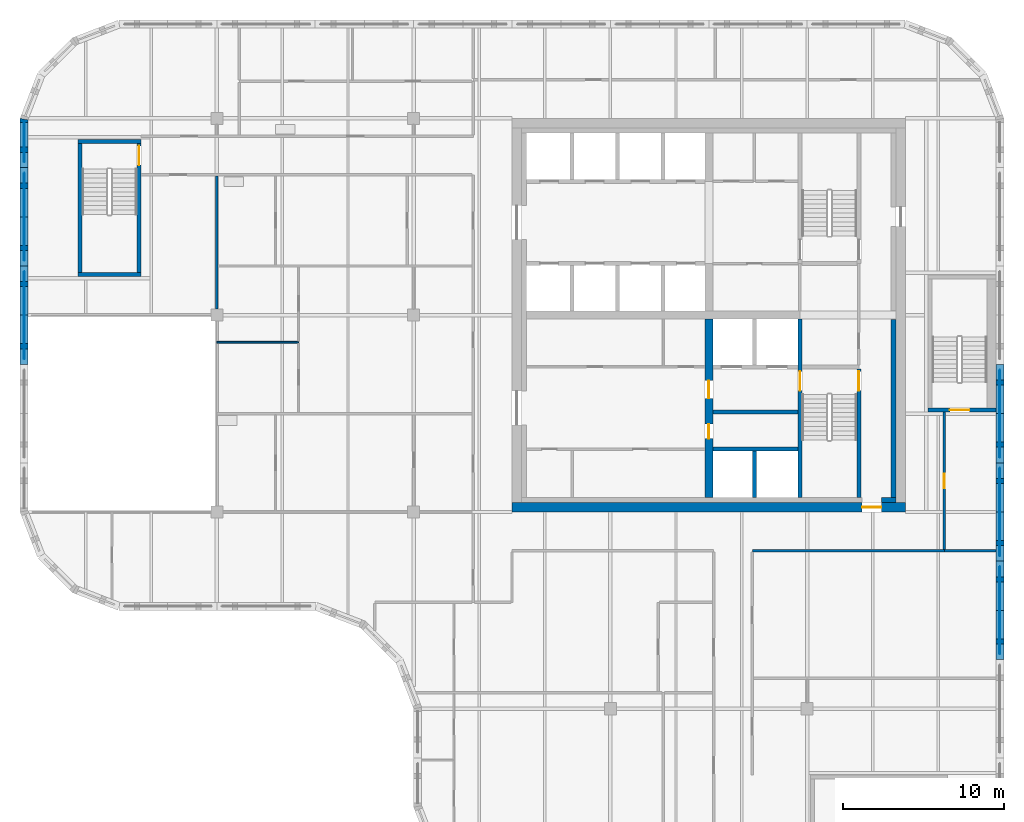
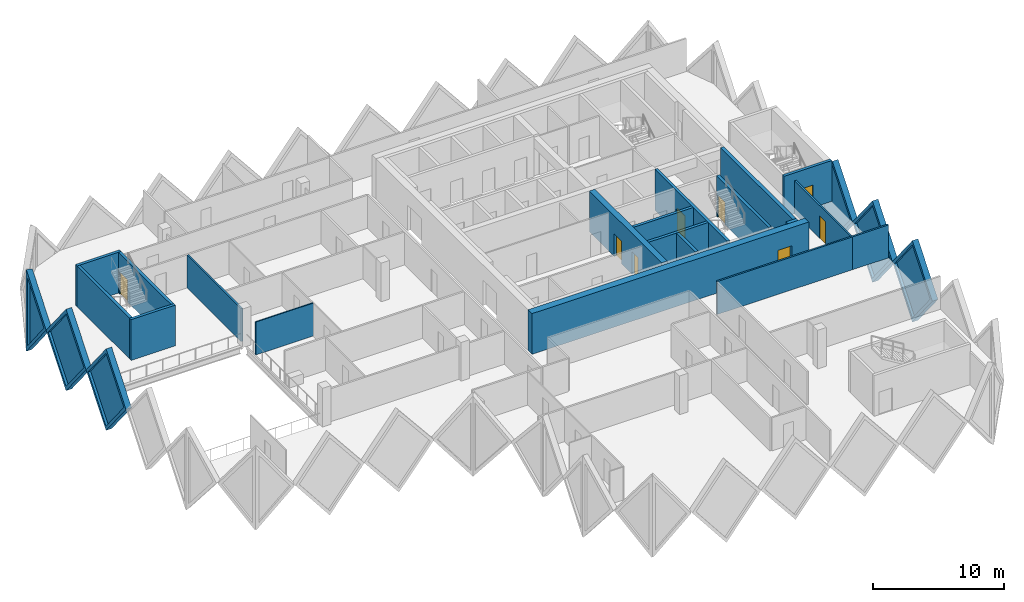
# One storey, part 6 of 12: 25 walls, 8 doors, 6 plates, 14 openings.
"""IFC4 building model written with IfcOpenShell, lengths in metres."""

from ifc_helpers import new_model, si_unit, direction, frame, frame_2d, origin, place, context, subcontext, project, spatial, polyline, rectangle, outline, extrude, faceted_brep, source, transform, mapped, material, layer, layer_set, type_object, element, fill, save


model = new_model("IFC4")

# Units and contexts
model_context = context("Model", 3, precision=1e-05, world=origin(), true_north=direction((0.0, 1.0)))
body_context = subcontext(model_context, "Body", "Model", "MODEL_VIEW")
ifc_project = project(units=[si_unit("LENGTHUNIT", "METRE"), si_unit("AREAUNIT", "SQUARE_METRE"), si_unit("VOLUMEUNIT", "CUBIC_METRE"), si_unit("PLANEANGLEUNIT", "RADIAN"), si_unit("MASSUNIT", "GRAM", prefix="KILO")], contexts=[model_context])

# Site, building, storey
site_placement = place(None, origin())
site = spatial("IfcSite", under=ifc_project, at=site_placement, CompositionType="ELEMENT")
building_placement = place(site_placement, origin())
building = spatial("IfcBuilding", under=site, at=building_placement, Name="Tessera Gate Towers", CompositionType="ELEMENT")
storey_placement = place(building_placement, frame((0.0, 0.0, 159.199951171875)))
storey = spatial("IfcBuildingStorey", under=building, at=storey_placement, Name="L39", CompositionType="ELEMENT", Elevation=159.199951171875)

# Wall, opening, door
ifc_material_1 = material(Name="Concrete C40/50", Category="concrete")
ifc_layer_1 = layer(ifc_material_1, 0.25)
ifc_layer_set_1 = layer_set([ifc_layer_1], Name="CORE ENCLOSURE WALL 250")
wall_type_1 = type_object("IfcWallType", Name="CORE ENCLOSURE WALL 250", PredefinedType="SOLIDWALL", material=ifc_layer_set_1)
wall_1_placement = place(storey_placement, frame((48.35009765625, 36.35009765625, 0.0), z_axis=(0.0, 0.0, 1.0), x_axis=(0.0, -1.0, 0.0)))
wall_1 = element("IfcWall", 1, at=wall_1_placement, inside=storey, type_object=wall_type_1, Name="L39 shaft and stair enclosure wall", PredefinedType="SOLIDWALL", context=body_context, shape_type="SweptSolid", body=[
    extrude(rectangle(XDim=11.050048828125, YDim=0.25, at=frame_2d((5.52490234375, 0.0))), origin(), (0.0, 0.0, 1.0), 3.800048828125),
])
shared_shape_1 = source(origin(), body_context, "Body", "SweptSolid", [
    extrude(rectangle(XDim=1.199951171875, YDim=2.10009765625, at=frame_2d((0.60009765625, 1.050048828125))), frame((0.0, 0.135009765625, 0.0), z_axis=(0.0, -1.0, 0.0), x_axis=(1.0, 0.0, 0.0)), (0.0, 0.0, 1.0), 0.27001953125),
])
opening_1_placement = place(wall_1_placement, frame((3.22509765625, 0.0, 0.0)))
opening_1 = element("IfcOpeningElement", 2, at=opening_1_placement, cuts=wall_1, Name="Opening SD-ST1-1", PredefinedType="OPENING", context=body_context, shape_type="MappedRepresentation", body=[
    mapped(shared_shape_1, transform((0.0, 0.0, 0.0), scale=1.0)),
])
ifc_material_2 = material(Name="Hollow steel fire door", Category="steel")
door_type_1 = type_object("IfcDoorType", Name="CORE DOOR SD 1200x2100", OperationType="NOTDEFINED", PredefinedType="DOOR", material=ifc_material_2)
shared_shape_2 = source(origin(), body_context, "Body", "SweptSolid", [
    extrude(rectangle(XDim=1.199951171875, YDim=2.10009765625, at=frame_2d((0.60009765625, 1.050048828125))), frame((0.0, 0.02490234375, 0.0), z_axis=(0.0, -1.0, 0.0), x_axis=(1.0, 0.0, 0.0)), (0.0, 0.0, 1.0), 0.050048828125),
])
door_1_placement = place(opening_1_placement, origin())
door_1 = element("IfcDoor", 3, at=door_1_placement, inside=storey, type_object=door_type_1, Name="Stair door", OperationType="SINGLE_SWING_LEFT", OverallHeight=2.10009765625, OverallWidth=1.199951171875, PredefinedType="DOOR", context=body_context, shape_type="MappedRepresentation", body=[
    mapped(shared_shape_2, transform((0.0, 0.0, 0.0), scale=1.0)),
])
fill(opening_1, door_1)

wall_2_placement = place(storey_placement, frame((52.0, 25.300048828125, 0.0), z_axis=(0.0, 0.0, 1.0), x_axis=(0.0, 1.0, 0.0)))
wall_2 = element("IfcWall", 4, at=wall_2_placement, inside=storey, type_object=wall_type_1, Name="L39 shaft and stair enclosure wall", PredefinedType="SOLIDWALL", context=body_context, shape_type="SweptSolid", body=[
    extrude(rectangle(XDim=7.974853515625, YDim=0.25, at=frame_2d((3.9873046875, 0.0))), origin(), (0.0, 0.0, 1.0), 3.800048828125),
])
opening_2_placement = place(wall_2_placement, frame((6.625, 0.0, 0.0)))
opening_2 = element("IfcOpeningElement", 5, at=opening_2_placement, cuts=wall_2, Name="Opening SD-ST1-2", PredefinedType="OPENING", context=body_context, shape_type="MappedRepresentation", body=[
    mapped(shared_shape_1, transform((0.0, 0.0, 0.0), scale=1.0)),
])
door_2_placement = place(opening_2_placement, origin())
door_2 = element("IfcDoor", 6, at=door_2_placement, inside=storey, type_object=door_type_1, Name="Stair door", OperationType="SINGLE_SWING_RIGHT", OverallHeight=2.10009765625, OverallWidth=1.199951171875, PredefinedType="DOOR", context=body_context, shape_type="MappedRepresentation", body=[
    mapped(shared_shape_2, transform((0.0, 0.0, 0.0), scale=1.0)),
])
fill(opening_2, door_2)

# Walls
for number, where, z_axis, x_axis, name in (
    (7, (42.949951171875, 28.300048828125, 0.0), (0.0, 0.0, 1.0), (1.0, 0.0, 0.0), "L39 shaft and stair enclosure wall"),
    (8, (42.949951171875, 30.60009765625, 0.0), (0.0, 0.0, 1.0), (1.0, 0.0, 0.0), "L39 shaft and stair enclosure wall"),
):
    element("IfcWall", number, at=place(storey_placement, frame(where, z_axis=z_axis, x_axis=x_axis)), inside=storey, type_object=wall_type_1, Name=name, PredefinedType="SOLIDWALL", context=body_context, shape_type="SweptSolid", body=[
        extrude(rectangle(XDim=5.275146484375, YDim=0.25, at=frame_2d((2.6376953125, 0.0))), origin(), (0.0, 0.0, 1.0), 3.800048828125),
    ])
wall_3_placement = place(storey_placement, frame((45.52490234375, 25.300048828125, 0.0), z_axis=(0.0, 0.0, 1.0), x_axis=(0.0, 1.0, 0.0)))
element("IfcWall", 9, at=wall_3_placement, inside=storey, type_object=wall_type_1, Name="L39 shaft and stair enclosure wall", PredefinedType="SOLIDWALL", context=body_context, shape_type="SweptSolid", body=[
    extrude(rectangle(XDim=2.875, YDim=0.25, at=frame_2d((1.4375, 0.0))), origin(), (0.0, 0.0, 1.0), 3.800048828125),
])
wall_4_placement = place(storey_placement, frame((7.5, 39.125, 0.0), z_axis=(0.0, 0.0, 1.0), x_axis=(-1.0, 0.0, 0.0)))
element("IfcWall", 10, at=wall_4_placement, inside=storey, type_object=wall_type_1, Name="L39 ST3 enclosure wall", PredefinedType="SOLIDWALL", context=body_context, shape_type="SweptSolid", body=[
    extrude(rectangle(XDim=3.89990234375, YDim=0.25, at=frame_2d((1.949951171875, 0.0))), origin(), (0.0, 0.0, 1.0), 3.800048828125),
])
wall_5_placement = place(storey_placement, frame((3.72509765625, 39.25, 0.0), z_axis=(0.0, 0.0, 1.0), x_axis=(0.0, 1.0, 0.0)))
element("IfcWall", 11, at=wall_5_placement, inside=storey, type_object=wall_type_1, Name="L39 ST3 enclosure wall", PredefinedType="SOLIDWALL", context=body_context, shape_type="SweptSolid", body=[
    extrude(rectangle(XDim=8.0, YDim=0.25, at=frame_2d((4.0, 0.0))), origin(), (0.0, 0.0, 1.0), 3.800048828125),
])
wall_6_placement = place(storey_placement, frame((3.60009765625, 47.375, 0.0), z_axis=(0.0, 0.0, 1.0), x_axis=(1.0, 0.0, 0.0)))
element("IfcWall", 12, at=wall_6_placement, inside=storey, type_object=wall_type_1, Name="L39 ST3 enclosure wall", PredefinedType="SOLIDWALL", context=body_context, shape_type="SweptSolid", body=[
    extrude(rectangle(XDim=3.89990234375, YDim=0.25, at=frame_2d((1.949951171875, 0.0))), origin(), (0.0, 0.0, 1.0), 3.800048828125),
])

# Wall, opening, door
wall_7_placement = place(storey_placement, frame((7.375, 47.25, 0.0), z_axis=(0.0, 0.0, 1.0), x_axis=(0.0, -1.0, 0.0)))
wall_7 = element("IfcWall", 13, at=wall_7_placement, inside=storey, type_object=wall_type_1, Name="L39 ST3 enclosure wall", PredefinedType="SOLIDWALL", context=body_context, shape_type="SweptSolid", body=[
    extrude(rectangle(XDim=8.0, YDim=0.25, at=frame_2d((4.0, 0.0))), origin(), (0.0, 0.0, 1.0), 3.800048828125),
])
opening_3_placement = place(wall_7_placement, frame((0.14990234375, 0.0, 0.0)))
opening_3 = element("IfcOpeningElement", 14, at=opening_3_placement, cuts=wall_7, Name="Opening SD-ST3-1", PredefinedType="OPENING", context=body_context, shape_type="MappedRepresentation", body=[
    mapped(shared_shape_1, transform((0.0, 0.0, 0.0), scale=1.0)),
])
door_3_placement = place(opening_3_placement, origin())
door_3 = element("IfcDoor", 15, at=door_3_placement, inside=storey, type_object=door_type_1, Name="Stair door", OperationType="SINGLE_SWING_LEFT", OverallHeight=2.10009765625, OverallWidth=1.199951171875, PredefinedType="DOOR", context=body_context, shape_type="MappedRepresentation", body=[
    mapped(shared_shape_2, transform((0.0, 0.0, 0.0), scale=1.0)),
])
fill(opening_3, door_3)

wall_8_placement = place(storey_placement, frame((60.5, 30.72509765625, 0.0), z_axis=(0.0, 0.0, 1.0), x_axis=(-1.0, 0.0, 0.0)))
wall_8 = element("IfcWall", 16, at=wall_8_placement, inside=storey, type_object=wall_type_1, Name="L39 ST5 enclosure wall", PredefinedType="SOLIDWALL", context=body_context, shape_type="SweptSolid", body=[
    extrude(rectangle(XDim=4.199951171875, YDim=0.25, at=frame_2d((2.10009765625, 0.0))), origin(), (0.0, 0.0, 1.0), 3.800048828125),
])
opening_4_placement = place(wall_8_placement, frame((1.64990234375, 0.0, 0.0)))
opening_4 = element("IfcOpeningElement", 17, at=opening_4_placement, cuts=wall_8, Name="Opening SD-ST5-1", PredefinedType="OPENING", context=body_context, shape_type="MappedRepresentation", body=[
    mapped(shared_shape_1, transform((0.0, 0.0, 0.0), scale=1.0)),
])
door_4_placement = place(opening_4_placement, origin())
door_4 = element("IfcDoor", 18, at=door_4_placement, inside=storey, type_object=door_type_1, Name="Stair door", OperationType="SINGLE_SWING_RIGHT", OverallHeight=2.10009765625, OverallWidth=1.199951171875, PredefinedType="DOOR", context=body_context, shape_type="MappedRepresentation", body=[
    mapped(shared_shape_2, transform((0.0, 0.0, 0.0), scale=1.0)),
])
fill(opening_4, door_4)

ifc_material_3 = material(Name="Concrete C50/60", Category="concrete")
ifc_layer_2 = layer(ifc_material_3, 0.60009765625)
ifc_layer_set_2 = layer_set([ifc_layer_2], Name="CORE SHEAR WALL 600 C50/60")
wall_type_2 = type_object("IfcWallType", Name="CORE SHEAR WALL 600 C50/60", PredefinedType="SHEAR", material=ifc_layer_set_2)
wall_9_placement = place(storey_placement, frame((54.89990234375, 24.699951171875, 0.0), z_axis=(0.0, 0.0, 1.0), x_axis=(-1.0, 0.0, 0.0)))
wall_9 = element("IfcWall", 19, at=wall_9_placement, inside=storey, type_object=wall_type_2, Name="Core wall S L39", PredefinedType="SHEAR", context=body_context, shape_type="SweptSolid", body=[
    extrude(rectangle(XDim=24.39990234375, YDim=0.60009765625, at=frame_2d((12.199951171875, 0.0))), origin(), (0.0, 0.0, 1.0), 3.800048828125),
])
shared_shape_3 = source(origin(), body_context, "Body", "SweptSolid", [
    extrude(rectangle(XDim=1.199951171875, YDim=2.10009765625, at=frame_2d((0.60009765625, 1.050048828125))), frame((0.0, 0.31005859375, 0.0), z_axis=(0.0, -1.0, 0.0), x_axis=(1.0, 0.0, 0.0)), (0.0, 0.0, 1.0), 0.6201171875),
])
opening_5_placement = place(wall_9_placement, frame((1.5, 0.0, 0.0)))
opening_5 = element("IfcOpeningElement", 20, at=opening_5_placement, cuts=wall_9, Name="Opening ED-T1-26-01", PredefinedType="OPENING", context=body_context, shape_type="MappedRepresentation", body=[
    mapped(shared_shape_3, transform((0.0, 0.0, 0.0), scale=1.0)),
])
ifc_material_4 = material(Name="Hollow steel fire door", Category="steel")
door_type_2 = type_object("IfcDoorType", Name="CORE DOOR ED 1200x2100", OperationType="NOTDEFINED", PredefinedType="DOOR", material=ifc_material_4)
door_5_placement = place(opening_5_placement, origin())
door_5 = element("IfcDoor", 21, at=door_5_placement, inside=storey, type_object=door_type_2, Name="Core exit door", OperationType="SINGLE_SWING_LEFT", OverallHeight=2.10009765625, OverallWidth=1.199951171875, PredefinedType="DOOR", context=body_context, shape_type="MappedRepresentation", body=[
    mapped(shared_shape_2, transform((0.0, 0.0, 0.0), scale=1.0)),
])
fill(opening_5, door_5)

# Wall, openings, doors
ifc_material_5 = material(Name="Concrete C50/60", Category="concrete")
ifc_layer_3 = layer(ifc_material_5, 0.5)
ifc_layer_set_3 = layer_set([ifc_layer_3], Name="CORE SPINE WALL 500 C50/60")
wall_type_3 = type_object("IfcWallType", Name="CORE SPINE WALL 500 C50/60", PredefinedType="SHEAR", material=ifc_layer_set_3)
wall_10_placement = place(storey_placement, frame((42.699951171875, 36.35009765625, 0.0), z_axis=(0.0, 0.0, 1.0), x_axis=(0.0, -1.0, 0.0)))
wall_10 = element("IfcWall", 22, at=wall_10_placement, inside=storey, type_object=wall_type_3, Name="Core wall spine L39", PredefinedType="SHEAR", context=body_context, shape_type="SweptSolid", body=[
    extrude(rectangle(XDim=11.050048828125, YDim=0.5, at=frame_2d((5.52490234375, 0.0))), origin(), (0.0, 0.0, 1.0), 3.800048828125),
])
shared_shape_4 = source(origin(), body_context, "Body", "SweptSolid", [
    extrude(rectangle(XDim=0.89990234375, YDim=2.10009765625, at=frame_2d((0.449951171875, 1.050048828125))), frame((0.0, 0.260009765625, 0.0), z_axis=(0.0, -1.0, 0.0), x_axis=(1.0, 0.0, 0.0)), (0.0, 0.0, 1.0), 0.52001953125),
])
opening_6_placement = place(wall_10_placement, frame((6.5, 0.0, 0.0)))
opening_6 = element("IfcOpeningElement", 23, at=opening_6_placement, cuts=wall_10, Name="Opening RD-T1-26-05", PredefinedType="OPENING", context=body_context, shape_type="MappedRepresentation", body=[
    mapped(shared_shape_4, transform((0.0, 0.0, 0.0), scale=1.0)),
])
shared_shape_5 = source(origin(), body_context, "Body", "SweptSolid", [
    extrude(rectangle(XDim=1.10009765625, YDim=2.10009765625, at=frame_2d((0.550048828125, 1.050048828125))), frame((0.0, 0.260009765625, 0.0), z_axis=(0.0, -1.0, 0.0), x_axis=(1.0, 0.0, 0.0)), (0.0, 0.0, 1.0), 0.52001953125),
])
opening_7_placement = place(wall_10_placement, frame((3.800048828125, 0.0, 0.0)))
opening_7 = element("IfcOpeningElement", 24, at=opening_7_placement, cuts=wall_10, Name="Opening FD-T1-26-06", PredefinedType="OPENING", context=body_context, shape_type="MappedRepresentation", body=[
    mapped(shared_shape_5, transform((0.0, 0.0, 0.0), scale=1.0)),
])
ifc_material_6 = material(Name="Hollow steel fire door", Category="steel")
door_type_3 = type_object("IfcDoorType", Name="CORE DOOR RD 900x2100", OperationType="NOTDEFINED", PredefinedType="DOOR", material=ifc_material_6)
shared_shape_6 = source(origin(), body_context, "Body", "SweptSolid", [
    extrude(rectangle(XDim=0.89990234375, YDim=2.10009765625, at=frame_2d((0.449951171875, 1.050048828125))), frame((0.0, 0.02490234375, 0.0), z_axis=(0.0, -1.0, 0.0), x_axis=(1.0, 0.0, 0.0)), (0.0, 0.0, 1.0), 0.050048828125),
])
door_6_placement = place(opening_6_placement, origin())
door_6 = element("IfcDoor", 25, at=door_6_placement, inside=storey, type_object=door_type_3, Name="Core room door", OperationType="SINGLE_SWING_RIGHT", OverallHeight=2.10009765625, OverallWidth=0.89990234375, PredefinedType="DOOR", context=body_context, shape_type="MappedRepresentation", body=[
    mapped(shared_shape_6, transform((0.0, 0.0, 0.0), scale=1.0)),
])
fill(opening_6, door_6)
ifc_material_7 = material(Name="Hollow steel fire door", Category="steel")
door_type_4 = type_object("IfcDoorType", Name="CORE DOOR FD 1100x2100", OperationType="NOTDEFINED", PredefinedType="DOOR", material=ifc_material_7)
shared_shape_7 = source(origin(), body_context, "Body", "SweptSolid", [
    extrude(rectangle(XDim=1.10009765625, YDim=2.10009765625, at=frame_2d((0.550048828125, 1.050048828125))), frame((0.0, 0.02490234375, 0.0), z_axis=(0.0, -1.0, 0.0), x_axis=(1.0, 0.0, 0.0)), (0.0, 0.0, 1.0), 0.050048828125),
])
door_7_placement = place(opening_7_placement, origin())
door_7 = element("IfcDoor", 26, at=door_7_placement, inside=storey, type_object=door_type_4, Name="Fire-fighting lobby door", OperationType="SINGLE_SWING_LEFT", OverallHeight=2.10009765625, OverallWidth=1.10009765625, PredefinedType="DOOR", context=body_context, shape_type="MappedRepresentation", body=[
    mapped(shared_shape_7, transform((0.0, 0.0, 0.0), scale=1.0)),
])
fill(opening_7, door_7)

# Walls
ifc_material_8 = material(Name="Concrete C50/60", Category="concrete")
ifc_layer_4 = layer(ifc_material_8, 0.300048828125)
ifc_layer_set_4 = layer_set([ifc_layer_4], Name="CORE WALL THICKENING 300")
wall_type_4 = type_object("IfcWallType", Name="CORE WALL THICKENING 300", PredefinedType="SOLIDWALL", material=ifc_layer_set_4)
wall_11_placement = place(storey_placement, frame((53.39990234375, 25.14990234375, 0.0), z_axis=(0.0, 0.0, 1.0), x_axis=(1.0, 0.0, 0.0)))
element("IfcWall", 27, at=wall_11_placement, inside=storey, type_object=wall_type_4, Name="Core wall thickening S L39", PredefinedType="SOLIDWALL", context=body_context, shape_type="SweptSolid", body=[
    extrude(rectangle(XDim=0.900146484375, YDim=0.300048828125, at=frame_2d((0.4501953125, 0.0))), origin(), (0.0, 0.0, 1.0), 3.800048828125),
])
wall_12_placement = place(storey_placement, frame((54.14990234375, 25.300048828125, 0.0), z_axis=(0.0, 0.0, 1.0), x_axis=(0.0, 1.0, 0.0)))
element("IfcWall", 28, at=wall_12_placement, inside=storey, type_object=wall_type_4, Name="Core wall thickening E L39", PredefinedType="SOLIDWALL", context=body_context, shape_type="SweptSolid", body=[
    extrude(rectangle(XDim=11.02001953125, YDim=0.300048828125, at=frame_2d((5.510009765625, 0.0))), origin(), (0.0, 0.0, 1.0), 3.800048828125),
])
ifc_material_9 = material(Name="Gypsum board on steel studs, mineral wool", Category="steel")
ifc_layer_5 = layer(ifc_material_9, 0.14990234375)
ifc_layer_set_5 = layer_set([ifc_layer_5], Name="CORRIDOR WALL 150")
wall_type_5 = type_object("IfcWallType", Name="CORRIDOR WALL 150", PredefinedType="PARTITIONING", material=ifc_layer_set_5)
wall_13_placement = place(storey_placement, frame((45.39990234375, 22.0, 0.0), z_axis=(0.0, 0.0, 1.0), x_axis=(1.0, 0.0, 0.0)))
element("IfcWall", 29, at=wall_13_placement, inside=storey, type_object=wall_type_5, Name="T1-L39-PW-023", PredefinedType="PARTITIONING", context=body_context, shape_type="SweptSolid", body=[
    extrude(rectangle(XDim=11.900146484375, YDim=0.14990234375, at=frame_2d((5.9501953125, 0.0))), origin(), (0.0, 0.0, 1.0), 3.067138671875),
])

# Wall, opening, door
wall_14_placement = place(storey_placement, frame((57.300048828125, 30.60009765625, 0.0), z_axis=(0.0, 0.0, 1.0), x_axis=(0.0, -1.0, 0.0)))
wall_14 = element("IfcWall", 30, at=wall_14_placement, inside=storey, type_object=wall_type_5, Name="T1-L39-PW-025", PredefinedType="PARTITIONING", context=body_context, shape_type="SweptSolid", body=[
    extrude(rectangle(XDim=8.524169921875, YDim=0.14990234375, at=frame_2d((4.26220703125, 0.0))), origin(), (0.0, 0.0, 1.0), 3.067138671875),
])
shared_shape_8 = source(origin(), body_context, "Body", "SweptSolid", [
    extrude(rectangle(XDim=0.89990234375, YDim=2.10009765625, at=frame_2d((0.449951171875, 1.050048828125))), frame((0.0, 0.0849609375, 0.0), z_axis=(0.0, -1.0, 0.0), x_axis=(1.0, 0.0, 0.0)), (0.0, 0.0, 1.0), 0.169921875),
])
opening_8_placement = place(wall_14_placement, frame((3.823974609375, 0.0, 0.0)))
opening_8 = element("IfcOpeningElement", 31, at=opening_8_placement, cuts=wall_14, Name="Opening D890FD60-A14-02", PredefinedType="OPENING", context=body_context, shape_type="MappedRepresentation", body=[
    mapped(shared_shape_8, transform((0.0, 0.0, 0.0), scale=1.0)),
])
ifc_material_10 = material(Name="Timber door leaf in steel frame", Category="steel")
door_type_5 = type_object("IfcDoorType", Name="CORRIDOR DOOR 900 FD60", OperationType="NOTDEFINED", PredefinedType="DOOR", material=ifc_material_10)
door_8_placement = place(opening_8_placement, origin())
door_8 = element("IfcDoor", 32, at=door_8_placement, inside=storey, type_object=door_type_5, Name="T1-L39-PD-021", OperationType="SINGLE_SWING_RIGHT", OverallHeight=2.10009765625, OverallWidth=0.89990234375, PredefinedType="DOOR", context=body_context, shape_type="MappedRepresentation", body=[
    mapped(shared_shape_6, transform((0.0, 0.0, 0.0), scale=1.0)),
])
fill(opening_8, door_8)

# Walls
ifc_material_11 = material(Name="Gypsum board on steel studs", Category="steel")
ifc_layer_6 = layer(ifc_material_11, 0.10009765625)
ifc_layer_set_6 = layer_set([ifc_layer_6], Name="PARTITION 100")
wall_type_6 = type_object("IfcWallType", Name="PARTITION 100", PredefinedType="PARTITIONING", material=ifc_layer_set_6)
wall_15_placement = place(storey_placement, frame((12.199951171875, 34.919921875, 0.0), z_axis=(0.0, 0.0, 1.0), x_axis=(1.0, 0.0, 0.0)))
element("IfcWall", 33, at=wall_15_placement, inside=storey, type_object=wall_type_6, Name="T1-L39-PW-032", PredefinedType="PARTITIONING", context=body_context, shape_type="SweptSolid", body=[
    extrude(rectangle(XDim=5.074951171875, YDim=0.10009765625, at=frame_2d((2.53759765625, 0.0))), origin(), (0.0, 0.0, 1.0), 3.067138671875),
])
ifc_material_12 = material(Name="Gypsum board on steel studs, mineral wool", Category="steel")
ifc_layer_7 = layer(ifc_material_12, 0.14990234375)
ifc_layer_set_7 = layer_set([ifc_layer_7], Name="TENANCY WALL 150")
wall_type_7 = type_object("IfcWallType", Name="TENANCY WALL 150", PredefinedType="PARTITIONING", material=ifc_layer_set_7)
wall_16_placement = place(storey_placement, frame((57.301025390625, 22.0, 0.0), z_axis=(0.0, 0.0, 1.0), x_axis=(1.0, 0.0, 0.0)))
element("IfcWall", 34, at=wall_16_placement, inside=storey, type_object=wall_type_7, Name="T1-L39-PW-024", PredefinedType="PARTITIONING", context=body_context, shape_type="SweptSolid", body=[
    extrude(rectangle(XDim=3.198974609375, YDim=0.14990234375, at=frame_2d((1.599609375, 0.0))), origin(), (0.0, 0.0, 1.0), 3.067138671875),
])
wall_17_placement = place(storey_placement, frame((12.199951171875, 36.97607421875, 0.0), z_axis=(0.0, 0.0, 1.0), x_axis=(0.0, 1.0, 0.0)))
element("IfcWall", 35, at=wall_17_placement, inside=storey, type_object=wall_type_7, Name="T1-L39-PW-034", PredefinedType="PARTITIONING", context=body_context, shape_type="SweptSolid", body=[
    extrude(rectangle(XDim=8.248046875, YDim=0.14990234375, at=frame_2d((4.1240234375, 0.0))), origin(), (0.0, 0.0, 1.0), 3.067138671875),
])

# Wall, opening, plate
ifc_material_13 = material(Name="Precast concrete C60/75 white", Category="concrete")
ifc_layer_8 = layer(ifc_material_13, 0.5)
ifc_layer_set_8 = layer_set([ifc_layer_8], Name="TS1 tessera")
wall_type_8 = type_object("IfcWallType", Name="TS1 tessera", PredefinedType="SOLIDWALL", material=ifc_layer_set_8)
shared_shape_9 = source(origin(), body_context, "Body", "Brep", [
    faceted_brep([(3.050048828125, -0.25, 0.0), (6.099853515625, -0.25, 3.7998046875), (6.099853515625, -0.25, 3.80029296875), (3.050048828125, -0.25, 7.60009765625), (0.0, -0.25, 3.800048828125), (0.0, 0.25, 3.800048828125), (3.050048828125, 0.25, 7.60009765625), (6.099853515625, 0.25, 3.80029296875), (6.099853515625, 0.25, 3.7998046875), (3.050048828125, 0.25, 0.0)], [[[0, 1, 2, 3, 4]], [[5, 6, 7, 8, 9]], [[9, 8, 1, 0]], [[7, 6, 3, 2]], [[6, 5, 4, 3]], [[5, 9, 0, 4]], [[1, 8, 7, 2]]]),
])
wall_18_placement = place(storey_placement, frame((60.75, 21.35009765625, -3.800048828125), z_axis=(0.0, 0.0, 1.0), x_axis=(0.0, 1.0, 0.0)))
wall_18 = element("IfcWall", 36, at=wall_18_placement, inside=storey, type_object=wall_type_8, Name="Precast tessera T1 TS1-0650", PredefinedType="SOLIDWALL", context=body_context, shape_type="MappedRepresentation", body=[
    mapped(shared_shape_9, transform((0.0, 0.0, 0.0), scale=1.0)),
])
shared_shape_10 = source(origin(), body_context, "Body", "SweptSolid", [
    extrude(outline(polyline([(3.050048828125, 0.3994140625), (5.779541015625, 3.800048828125), (3.050048828125, 7.20068359375), (0.320556640625, 3.800048828125), (3.050048828125, 0.3994140625)])), frame((0.0, 0.260009765625, 0.0), z_axis=(0.0, -1.0, 0.0), x_axis=(1.0, 0.0, 0.0)), (0.0, 0.0, 1.0), 0.52001953125),
])
opening_9_placement = place(wall_18_placement, origin())
opening_9 = element("IfcOpeningElement", 37, at=opening_9_placement, cuts=wall_18, Name="Opening T1-PL2-1326", PredefinedType="OPENING", context=body_context, shape_type="MappedRepresentation", body=[
    mapped(shared_shape_10, transform((0.0, 0.0, 0.0), scale=1.0)),
])
ifc_material_14 = material(Name="Low-e laminated glass", Category="glass")
ifc_layer_9 = layer(ifc_material_14, 0.06005859375)
ifc_layer_set_9 = layer_set([ifc_layer_9], Name="PL2 rhombic pane")
plate_type = type_object("IfcPlateType", Name="PL2 rhombic pane", PredefinedType="SHEET", material=ifc_layer_set_9)
shared_shape_11 = source(origin(), body_context, "Body", "SweptSolid", [
    extrude(outline(polyline([(3.050048828125, 0.3994140625), (5.779541015625, 3.800048828125), (3.050048828125, 7.20068359375), (0.320556640625, 3.800048828125), (3.050048828125, 0.3994140625)])), frame((0.0, 0.030029296875, 0.0), z_axis=(0.0, -1.0, 0.0), x_axis=(1.0, 0.0, 0.0)), (0.0, 0.0, 1.0), 0.06005859375),
])
plate_1_placement = place(opening_9_placement, origin())
plate_1 = element("IfcPlate", 38, at=plate_1_placement, inside=storey, type_object=plate_type, Name="Glass pane T1 PL2-1326", PredefinedType="SHEET", context=body_context, shape_type="MappedRepresentation", body=[
    mapped(shared_shape_11, transform((0.0, 0.0, 0.0), scale=1.0)),
])
fill(opening_9, plate_1)

wall_19_placement = place(storey_placement, frame((0.25, 39.64990234375, -3.800048828125), z_axis=(0.0, 0.0, 1.0), x_axis=(0.0, -1.0, 0.0)))
wall_19 = element("IfcWall", 39, at=wall_19_placement, inside=storey, type_object=wall_type_8, Name="Precast tessera T1 TS1-0663", PredefinedType="SOLIDWALL", context=body_context, shape_type="MappedRepresentation", body=[
    mapped(shared_shape_9, transform((0.0, 0.0, 0.0), scale=1.0)),
])
opening_10_placement = place(wall_19_placement, origin())
opening_10 = element("IfcOpeningElement", 40, at=opening_10_placement, cuts=wall_19, Name="Opening T1-PL2-1347", PredefinedType="OPENING", context=body_context, shape_type="MappedRepresentation", body=[
    mapped(shared_shape_10, transform((0.0, 0.0, 0.0), scale=1.0)),
])
plate_2_placement = place(opening_10_placement, origin())
plate_2 = element("IfcPlate", 41, at=plate_2_placement, inside=storey, type_object=plate_type, Name="Glass pane T1 PL2-1347", PredefinedType="SHEET", context=body_context, shape_type="MappedRepresentation", body=[
    mapped(shared_shape_11, transform((0.0, 0.0, 0.0), scale=1.0)),
])
fill(opening_10, plate_2)

shared_shape_12 = source(origin(), body_context, "Body", "SweptSolid", [
    extrude(outline(polyline([(3.050048828125, 0.0), (6.10009765625, 3.800048828125), (3.050048828125, 7.60009765625), (0.0, 3.800048828125), (3.050048828125, 0.0)])), frame((0.0, 0.25, 0.0), z_axis=(0.0, -1.0, 0.0), x_axis=(1.0, 0.0, 0.0)), (0.0, 0.0, 1.0), 0.5),
])
wall_20_placement = place(storey_placement, frame((60.75, 15.25, -3.800048828125), z_axis=(0.0, 0.0, 1.0), x_axis=(0.0, 1.0, 0.0)))
wall_20 = element("IfcWall", 42, at=wall_20_placement, inside=storey, type_object=wall_type_8, Name="Precast tessera T1 TS1-0649", PredefinedType="SOLIDWALL", context=body_context, shape_type="MappedRepresentation", body=[
    mapped(shared_shape_12, transform((0.0, 0.0, 0.0), scale=1.0)),
])
opening_11_placement = place(wall_20_placement, origin())
opening_11 = element("IfcOpeningElement", 43, at=opening_11_placement, cuts=wall_20, Name="Opening T1-PL2-1325", PredefinedType="OPENING", context=body_context, shape_type="MappedRepresentation", body=[
    mapped(shared_shape_10, transform((0.0, 0.0, 0.0), scale=1.0)),
])
plate_3_placement = place(opening_11_placement, origin())
plate_3 = element("IfcPlate", 44, at=plate_3_placement, inside=storey, type_object=plate_type, Name="Glass pane T1 PL2-1325", PredefinedType="SHEET", context=body_context, shape_type="MappedRepresentation", body=[
    mapped(shared_shape_11, transform((0.0, 0.0, 0.0), scale=1.0)),
])
fill(opening_11, plate_3)

wall_21_placement = place(storey_placement, frame((60.75, 27.449951171875, -3.800048828125), z_axis=(0.0, 0.0, 1.0), x_axis=(0.0, 1.0, 0.0)))
wall_21 = element("IfcWall", 45, at=wall_21_placement, inside=storey, type_object=wall_type_8, Name="Precast tessera T1 TS1-0651", PredefinedType="SOLIDWALL", context=body_context, shape_type="MappedRepresentation", body=[
    mapped(shared_shape_12, transform((0.0, 0.0, 0.0), scale=1.0)),
])
opening_12_placement = place(wall_21_placement, origin())
opening_12 = element("IfcOpeningElement", 46, at=opening_12_placement, cuts=wall_21, Name="Opening T1-PL2-1327", PredefinedType="OPENING", context=body_context, shape_type="MappedRepresentation", body=[
    mapped(shared_shape_10, transform((0.0, 0.0, 0.0), scale=1.0)),
])
plate_4_placement = place(opening_12_placement, origin())
plate_4 = element("IfcPlate", 47, at=plate_4_placement, inside=storey, type_object=plate_type, Name="Glass pane T1 PL2-1327", PredefinedType="SHEET", context=body_context, shape_type="MappedRepresentation", body=[
    mapped(shared_shape_11, transform((0.0, 0.0, 0.0), scale=1.0)),
])
fill(opening_12, plate_4)

wall_22_placement = place(storey_placement, frame((0.25, 45.75, -3.800048828125), z_axis=(0.0, 0.0, 1.0), x_axis=(0.0, -1.0, 0.0)))
wall_22 = element("IfcWall", 48, at=wall_22_placement, inside=storey, type_object=wall_type_8, Name="Precast tessera T1 TS1-0662", PredefinedType="SOLIDWALL", context=body_context, shape_type="MappedRepresentation", body=[
    mapped(shared_shape_12, transform((0.0, 0.0, 0.0), scale=1.0)),
])
opening_13_placement = place(wall_22_placement, origin())
opening_13 = element("IfcOpeningElement", 49, at=opening_13_placement, cuts=wall_22, Name="Opening T1-PL2-1346", PredefinedType="OPENING", context=body_context, shape_type="MappedRepresentation", body=[
    mapped(shared_shape_10, transform((0.0, 0.0, 0.0), scale=1.0)),
])
plate_5_placement = place(opening_13_placement, origin())
plate_5 = element("IfcPlate", 50, at=plate_5_placement, inside=storey, type_object=plate_type, Name="Glass pane T1 PL2-1346", PredefinedType="SHEET", context=body_context, shape_type="MappedRepresentation", body=[
    mapped(shared_shape_11, transform((0.0, 0.0, 0.0), scale=1.0)),
])
fill(opening_13, plate_5)

ifc_material_15 = material(Name="Precast concrete C60/75 white", Category="concrete")
ifc_layer_10 = layer(ifc_material_15, 0.5)
ifc_layer_set_10 = layer_set([ifc_layer_10], Name="TS3 corner tessera")
wall_type_9 = type_object("IfcWallType", Name="TS3 corner tessera", PredefinedType="SOLIDWALL", material=ifc_layer_set_10)
shared_shape_13 = source(origin(), body_context, "Body", "Brep", [
    faceted_brep([(0.046630859375, -0.25, 0.0), (3.050048828125, -0.25, 3.800048828125), (0.046630859375, -0.25, 7.60009765625), (0.0, -0.25, 7.5400390625), (0.0, -0.25, 0.06005859375), (0.09326171875, 0.25, 7.541259765625), (3.050048828125, 0.25, 3.800048828125), (0.09326171875, 0.25, 0.058837890625), (0.046630859375, 0.0, 0.0), (0.046630859375, 0.0, 7.60009765625)], [[[0, 1, 2, 3, 4]], [[5, 6, 7]], [[7, 6, 1, 0, 8]], [[6, 5, 9, 2, 1]], [[3, 2, 9]], [[8, 0, 4]], [[7, 8, 4, 3, 9, 5]]]),
])
wall_23_placement = place(storey_placement, frame((0.25, 48.800048828125, -3.800048828125), z_axis=(0.0, 0.0, 1.0), x_axis=(0.0, -1.0, 0.0)))
wall_23 = element("IfcWall", 51, at=wall_23_placement, inside=storey, type_object=wall_type_9, Name="Precast corner tessera T1 TS3-0900", PredefinedType="SOLIDWALL", context=body_context, shape_type="MappedRepresentation", body=[
    mapped(shared_shape_13, transform((0.0, 0.0, 0.0), scale=1.0)),
])
shared_shape_14 = source(origin(), body_context, "Body", "SweptSolid", [
    extrude(outline(polyline([(0.24658203125, 0.65625), (2.7314453125, 3.800048828125), (0.24658203125, 6.94384765625), (0.24658203125, 0.65625)])), frame((0.0, 0.260009765625, 0.0), z_axis=(0.0, -1.0, 0.0), x_axis=(1.0, 0.0, 0.0)), (0.0, 0.0, 1.0), 0.52001953125),
])
opening_14_placement = place(wall_23_placement, origin())
opening_14 = element("IfcOpeningElement", 52, at=opening_14_placement, cuts=wall_23, Name="Opening T1-PL2-1345", PredefinedType="OPENING", context=body_context, shape_type="MappedRepresentation", body=[
    mapped(shared_shape_14, transform((0.0, 0.0, 0.0), scale=1.0)),
])
shared_shape_15 = source(origin(), body_context, "Body", "SweptSolid", [
    extrude(outline(polyline([(0.24658203125, 0.65625), (2.7314453125, 3.800048828125), (0.24658203125, 6.94384765625), (0.24658203125, 0.65625)])), frame((0.0, 0.030029296875, 0.0), z_axis=(0.0, -1.0, 0.0), x_axis=(1.0, 0.0, 0.0)), (0.0, 0.0, 1.0), 0.06005859375),
])
plate_6_placement = place(opening_14_placement, origin())
plate_6 = element("IfcPlate", 53, at=plate_6_placement, inside=storey, type_object=plate_type, Name="Glass pane T1 PL2-1345", PredefinedType="SHEET", context=body_context, shape_type="MappedRepresentation", body=[
    mapped(shared_shape_15, transform((0.0, 0.0, 0.0), scale=1.0)),
])
fill(opening_14, plate_6)

save(model, "model.ifc")
